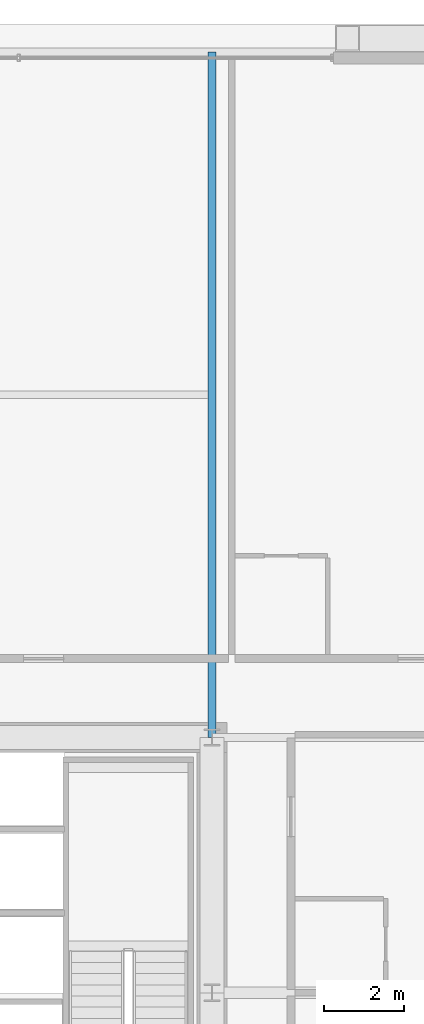
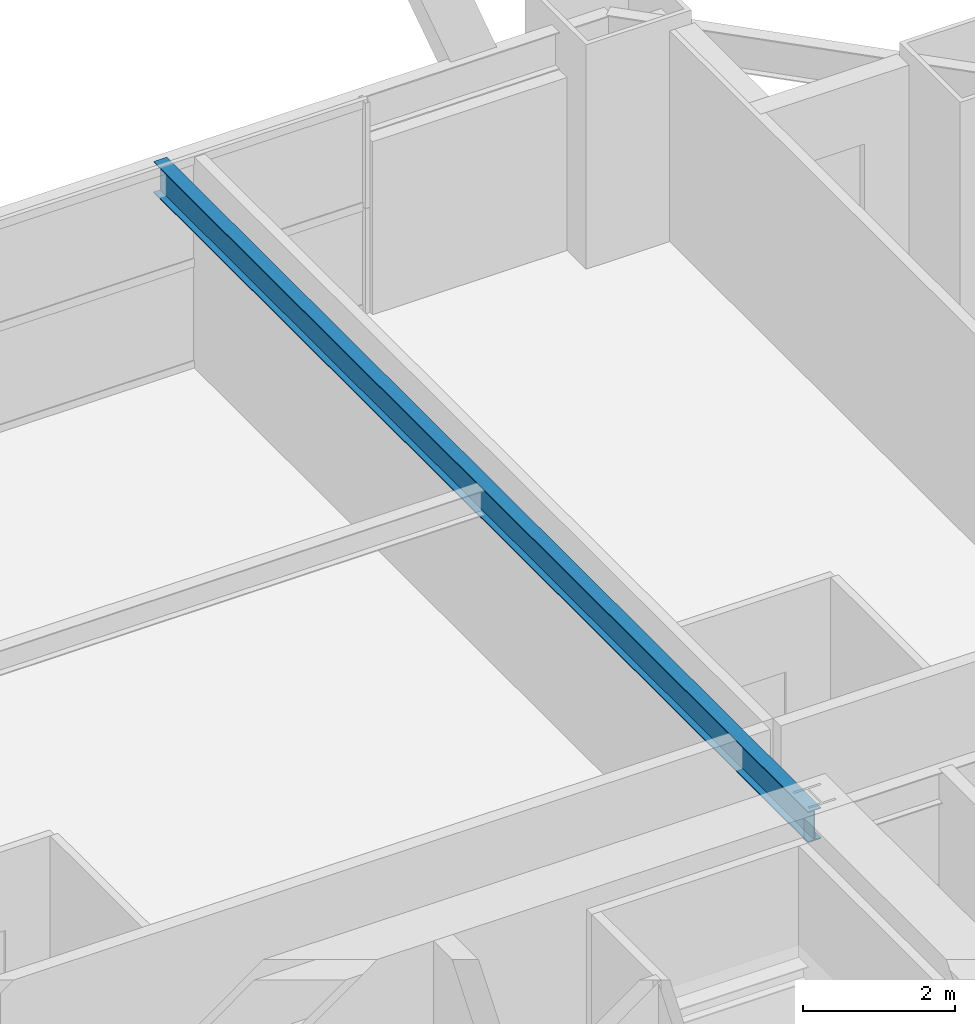
# One storey, part 29 of 41: 1 beam.
"""IFC4 building model written with IfcOpenShell, lengths in metres."""

import ifcopenshell
import ifcopenshell.guid

model = None  # the IFC model being written
_history = None  # IfcOwnerHistory: only IFC2X3 demands one
_inside = {}  # id of a spatial element -> (the spatial element, [elements in it])
_under = {}  # id of a project, library or spatial element -> (it, [spatial elements below it])
_declared = {}  # id of a project -> (the project, [libraries it declares])
_typed = {}  # id of a type object -> (the type object, [elements of that type])
_made_of = {}  # id of a material, layer set ... -> (it, [elements and type objects made of it])


def new_model(schema):
    """Start an empty IFC model of exactly this schema.

    Asked for "IFC4X3", IfcOpenShell would pick the latest addendum, in which some entities
    have other attributes; the version numbers below select the first issue.
    IFC2X3 requires an IfcOwnerHistory on every rooted entity: one is made here for all.
    """
    global model, _history
    if schema == "IFC4X3":
        model = ifcopenshell.file(schema_version=(4, 3, 0, 0))
    else:
        model = ifcopenshell.file(schema=schema)
    _inside.clear()
    _under.clear()
    _declared.clear()
    _typed.clear()
    _made_of.clear()
    _history = None
    if model.schema == "IFC2X3":
        org = make("IfcOrganization", Name="unknown")
        user = make(
            "IfcPersonAndOrganization",
            ThePerson=make("IfcPerson", FamilyName="unknown"),
            TheOrganization=org,
        )
        app = make(
            "IfcApplication",
            ApplicationDeveloper=org,
            Version="unknown",
            ApplicationFullName="unknown",
            ApplicationIdentifier="unknown",
        )
        _history = make(
            "IfcOwnerHistory",
            OwningUser=user,
            OwningApplication=app,
            ChangeAction="ADDED",
            CreationDate=0,
        )
    return model


def make(cls, **values):
    """One entity of the class cls with the attributes given. An attribute that is None is left unset."""
    return model.create_entity(
        cls, **{name: value for name, value in values.items() if value is not None}
    )


def rooted(cls, **values):
    """An entity with a GlobalId (a new one), such as an element, a storey or a relation."""
    return make(cls, GlobalId=ifcopenshell.guid.new(), OwnerHistory=_history, **values)


def si_unit(unit_type, name, prefix=None):
    """IfcSIUnit, for example si_unit("LENGTHUNIT", "METRE", prefix="MILLI")."""
    return make("IfcSIUnit", UnitType=unit_type, Prefix=prefix, Name=name)


def assignment(units):
    """IfcUnitAssignment: the units of a project."""
    return None if units is None else make("IfcUnitAssignment", Units=units)


def point(xyz):
    """IfcCartesianPoint."""
    return None if xyz is None else make("IfcCartesianPoint", Coordinates=xyz)


def direction(xyz):
    """IfcDirection."""
    return None if xyz is None else make("IfcDirection", DirectionRatios=xyz)


def frame(location, z_axis=None, x_axis=None):
    """IfcAxis2Placement3D, a coordinate frame: its origin and axes. An axis left out is left unset."""
    return make(
        "IfcAxis2Placement3D",
        Location=point(location),
        Axis=direction(z_axis),
        RefDirection=direction(x_axis),
    )


def frame_2d(location, x_axis=None):
    """IfcAxis2Placement2D, a coordinate frame in the plane: its origin and x axis."""
    return make(
        "IfcAxis2Placement2D", Location=point(location), RefDirection=direction(x_axis)
    )


def origin():
    """The frame at (0, 0, 0) with its axes left unset."""
    return frame((0.0, 0.0, 0.0))


def origin_2d():
    """The frame at (0, 0) in the plane with its x axis left unset."""
    return frame_2d((0.0, 0.0))


def place(relative_to, where):
    """IfcLocalPlacement: puts the frame where relative to a parent placement (None: the world)."""
    return make(
        "IfcLocalPlacement", PlacementRelTo=relative_to, RelativePlacement=where
    )


def context(
    kind, dimensions, precision=None, world=None, true_north=None, identifier=None
):
    """IfcGeometricRepresentationContext, for example the 3D "Model" context."""
    return make(
        "IfcGeometricRepresentationContext",
        ContextIdentifier=identifier,
        ContextType=kind,
        CoordinateSpaceDimension=dimensions,
        Precision=precision,
        WorldCoordinateSystem=world,
        TrueNorth=true_north,
    )


def subcontext(parent, identifier, kind, view, scale=None):
    """IfcGeometricRepresentationSubContext, for example "Body" below "Model"."""
    return make(
        "IfcGeometricRepresentationSubContext",
        ContextIdentifier=identifier,
        ContextType=kind,
        ParentContext=parent,
        TargetScale=scale,
        TargetView=view,
    )


def project(units=None, contexts=None):
    """IfcProject with its units and contexts."""
    return rooted(
        "IfcProject",
        Name="project",
        RepresentationContexts=contexts,
        UnitsInContext=assignment(units),
    )


def spatial(cls, under=None, at=None, **own):
    """A site, building, storey or space (cls), placed at a placement, below another one or the project."""
    s = rooted(cls, ObjectPlacement=at, **own)
    if under is not None:
        _under.setdefault(under.id(), (under, []))[1].append(s)
    return s


def profile(cls, at=None, kind="AREA", **sizes):
    """A parametric profile (cls). Its sizes go by their IFC names, for example OverallWidth=200.0."""
    return make(cls, ProfileType=kind, Position=at, **sizes)


def i_section(**sizes):
    """IfcIShapeProfileDef."""
    return profile("IfcIShapeProfileDef", **sizes)


def extrude(swept, where, along, depth):
    """IfcExtrudedAreaSolid: the profile swept, set in the frame where, extruded along a direction by depth."""
    return make(
        "IfcExtrudedAreaSolid",
        SweptArea=swept,
        Position=where,
        ExtrudedDirection=direction(along),
        Depth=depth,
    )


def shape(context_of_items, identifier, shape_type, items):
    """IfcShapeRepresentation: the items that make up one representation, for example the "Body"."""
    return make(
        "IfcShapeRepresentation",
        ContextOfItems=context_of_items,
        RepresentationIdentifier=identifier,
        RepresentationType=shape_type,
        Items=items,
    )


def source(mapping_origin, context_of_items, identifier, shape_type, items):
    """IfcRepresentationMap: a shape defined once, which mapped items show again and again."""
    return make(
        "IfcRepresentationMap",
        MappingOrigin=mapping_origin,
        MappedRepresentation=shape(context_of_items, identifier, shape_type, items),
    )


def transform(
    local_origin,
    x_axis=None,
    y_axis=None,
    z_axis=None,
    scale=None,
    scale2=None,
    scale3=None,
    uniform=True,
):
    """IfcCartesianTransformationOperator3D, or its non-uniform kind. x_axis, y_axis, z_axis: its Axis1, 2, 3."""
    if uniform:
        return make(
            "IfcCartesianTransformationOperator3D",
            Axis1=direction(x_axis),
            Axis2=direction(y_axis),
            LocalOrigin=point(local_origin),
            Scale=scale,
            Axis3=direction(z_axis),
        )
    return make(
        "IfcCartesianTransformationOperator3DnonUniform",
        Axis1=direction(x_axis),
        Axis2=direction(y_axis),
        LocalOrigin=point(local_origin),
        Scale=scale,
        Axis3=direction(z_axis),
        Scale2=scale2,
        Scale3=scale3,
    )


def mapped(mapping_source, mapping_target):
    """IfcMappedItem: shows the shape of a source again, moved by a transform."""
    return make(
        "IfcMappedItem", MappingSource=mapping_source, MappingTarget=mapping_target
    )


def material(Name=None, Category=None):
    """IfcMaterial."""
    return make("IfcMaterial", Name=Name, Category=Category)


def material_profile(
    of_material, cross_section, Name=None, Category=None, Priority=None
):
    """IfcMaterialProfile: a cross section and its material."""
    return make(
        "IfcMaterialProfile",
        Name=Name,
        Material=of_material,
        Profile=cross_section,
        Priority=Priority,
        Category=Category,
    )


def profile_set(profiles, Name=None, composite=None):
    """IfcMaterialProfileSet."""
    return make(
        "IfcMaterialProfileSet",
        Name=Name,
        MaterialProfiles=profiles,
        CompositeProfile=composite,
    )


def made_of(thing, what):
    """Note that an element or type object is made of a material, layer set ...; save() writes the relation."""
    if what is not None:
        _made_of.setdefault(what.id(), (what, []))[1].append(thing)
    return thing


def type_object(cls, material=None, **own):
    """A type object (cls), such as IfcWallType, which elements share."""
    return made_of(rooted(cls, **own), material)


def element(
    cls,
    number,
    at=None,
    inside=None,
    cuts=None,
    type_object=None,
    material=None,
    context=None,
    identifier="Body",
    shape_type=None,
    held_by="IfcProductDefinitionShape",
    body=None,
    shapes=None,
    **own,
):
    """One element of the class cls, such as IfcWall. Its Tag is "e" and its number.

    at: its placement. inside: the storey or other place that contains it. cuts: it is an
    opening in that element (IfcRelVoidsElement). A single representation is given by context,
    identifier, shape_type and body (its items); several are given by shapes. held_by: the class
    of the entity that holds the representations. save() writes the other relations.
    """
    e = rooted(cls, Tag="e%d" % number, ObjectPlacement=at, **own)
    if body is not None:
        shapes = [shape(context, identifier, shape_type, body)]
    if shapes is not None:
        e.Representation = make(held_by, Representations=shapes)
    if inside is not None:
        _inside.setdefault(inside.id(), (inside, []))[1].append(e)
    if cuts is not None:
        rooted(
            "IfcRelVoidsElement", RelatingBuildingElement=cuts, RelatedOpeningElement=e
        )
    if type_object is not None:
        _typed.setdefault(type_object.id(), (type_object, []))[1].append(e)
    return made_of(e, material)


def aggregate(whole, parts):
    """IfcRelAggregates: a whole, such as a stair, and the parts it consists of."""
    return rooted("IfcRelAggregates", RelatingObject=whole, RelatedObjects=parts)


def save(model, path):
    """Write the relations noted so far, then the file.

    IfcRelAggregates (storeys below a building ...), IfcRelContainedInSpatialStructure (elements
    in a storey), IfcRelDefinesByType, IfcRelAssociatesMaterial and IfcRelDeclares: one each for
    every whole, place, type object, material and project.
    """
    for whole, parts in _under.values():
        aggregate(whole, parts)
    for where, things in _inside.values():
        rooted(
            "IfcRelContainedInSpatialStructure",
            RelatedElements=things,
            RelatingStructure=where,
        )
    for kind, things in _typed.values():
        rooted("IfcRelDefinesByType", RelatedObjects=things, RelatingType=kind)
    for what, things in _made_of.values():
        rooted("IfcRelAssociatesMaterial", RelatedObjects=things, RelatingMaterial=what)
    for by, libraries in _declared.values():
        rooted("IfcRelDeclares", RelatingContext=by, RelatedDefinitions=libraries)
    model.write(path)


model = new_model("IFC4")

# Units and contexts
model_context = context("Model", 3, precision=1e-05, world=origin(), true_north=direction((0.0, 1.0)))
body_context = subcontext(model_context, "Body", "Model", "MODEL_VIEW")
ifc_project = project(units=[si_unit("LENGTHUNIT", "METRE"), si_unit("AREAUNIT", "SQUARE_METRE"), si_unit("VOLUMEUNIT", "CUBIC_METRE"), si_unit("PLANEANGLEUNIT", "RADIAN"), si_unit("MASSUNIT", "GRAM", prefix="KILO"), si_unit("THERMODYNAMICTEMPERATUREUNIT", "KELVIN"), si_unit("POWERUNIT", "WATT")], contexts=[model_context])

# Site, building, storey
site_placement = place(None, origin())
site = spatial("IfcSite", under=ifc_project, at=site_placement, CompositionType="ELEMENT")
building_placement = place(site_placement, origin())
building = spatial("IfcBuilding", under=site, at=building_placement, Name="Yuzanri Waterfront Tower", CompositionType="ELEMENT")
storey_placement = place(building_placement, frame((0.0, 0.0, 122.60009765625)))
storey = spatial("IfcBuildingStorey", under=building, at=storey_placement, Name="L32", CompositionType="ELEMENT", Elevation=122.60009765625)

# Beam
ifc_material = material(Name="Steel Q355B", Category="steel")
ifc_material_profile = material_profile(ifc_material, i_section(OverallWidth=0.199951171875, OverallDepth=0.5, WebThickness=0.010009765625, FlangeThickness=0.01611328125, at=origin_2d()), Name="HN 500x200x10x16")
ifc_profile_set = profile_set([ifc_material_profile], Name="Steel Q355B")
beam_type = type_object("IfcBeamType", Name="Secondary Floor Beam Q355B HN 500x200", PredefinedType="BEAM", material=ifc_profile_set)
shared_shape = source(origin(), body_context, "Body", "SweptSolid", [
    extrude(i_section(OverallWidth=0.199951171875, OverallDepth=0.5, WebThickness=0.010009765625, FlangeThickness=0.01611328125, at=origin_2d()), origin(), (0.0, 0.0, 1.0), 17.199951171875),
])
beam_placement = place(storey_placement, frame((50.199951171875, 32.199951171875, 3.1298828125), z_axis=(0.0, 1.0, 0.0), x_axis=(-1.0, 0.0, 0.0)))
element("IfcBeam", 1, at=beam_placement, inside=storey, type_object=beam_type, Name="L32 North-East Core Line Beam", PredefinedType="BEAM", context=body_context, shape_type="MappedRepresentation", body=[
    mapped(shared_shape, transform((0.0, 0.0, 0.0), scale=1.0)),
])

save(model, "model.ifc")
